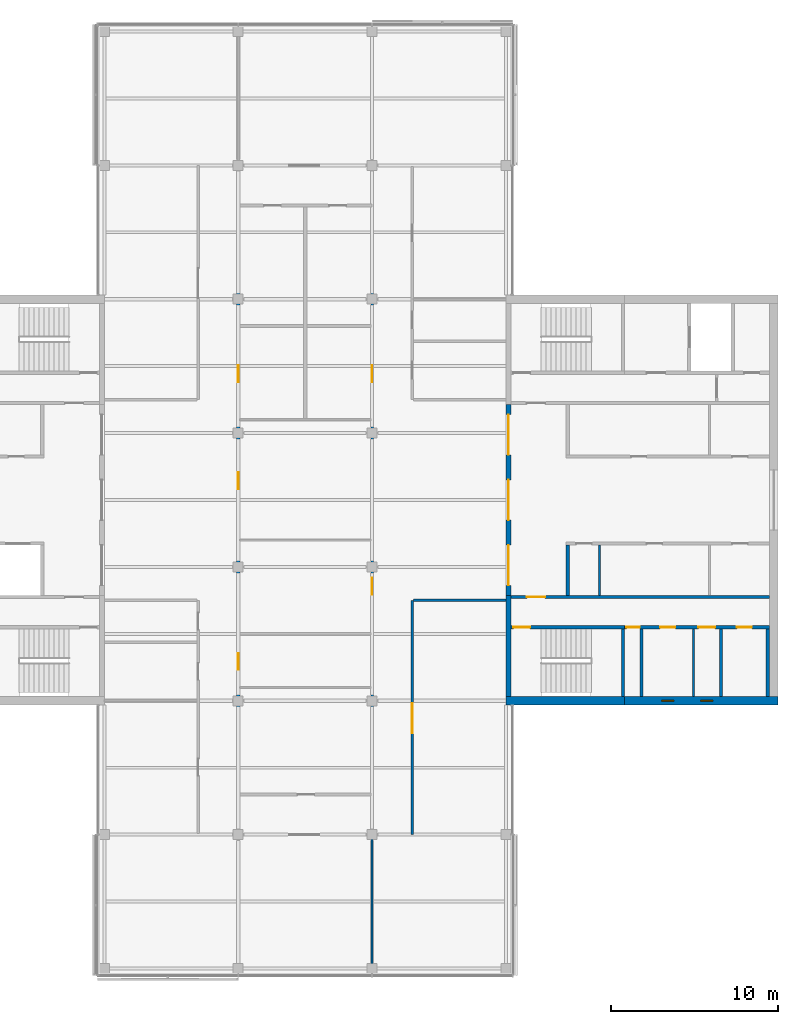
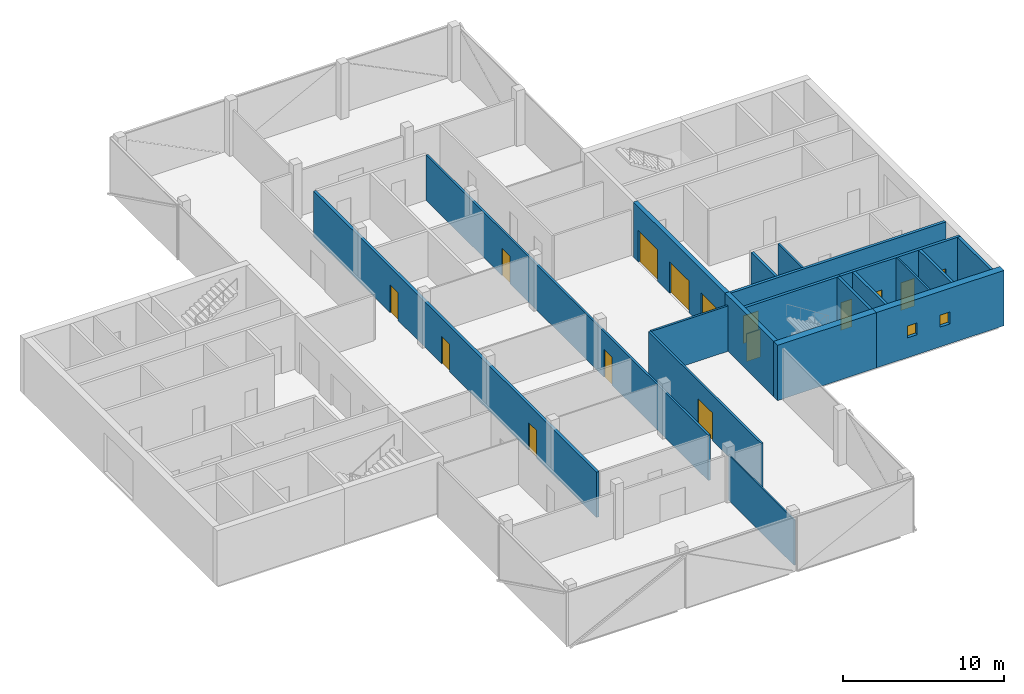
# One storey, part 10 of 16: 19 walls, 15 doors, 2 windows, 17 openings.
"""IFC4 building model written with IfcOpenShell, lengths in metres."""

from ifc_helpers import new_model, si_unit, direction, frame, frame_2d, origin, place, context, subcontext, project, spatial, rectangle, extrude, material, layer, layer_set, constituent, constituent_set, type_object, element, fill, save


model = new_model("IFC4")

# Units and contexts
model_context = context("Model", 3, precision=1e-05, world=origin(), true_north=direction((0.0, 1.0)))
body_context = subcontext(model_context, "Body", "Model", "MODEL_VIEW")
ifc_project = project(units=[si_unit("LENGTHUNIT", "METRE"), si_unit("AREAUNIT", "SQUARE_METRE"), si_unit("VOLUMEUNIT", "CUBIC_METRE"), si_unit("PLANEANGLEUNIT", "RADIAN"), si_unit("MASSUNIT", "GRAM", prefix="KILO")], contexts=[model_context])

# Site, building, storey
site_placement = place(None, origin())
site = spatial("IfcSite", under=ifc_project, at=site_placement, CompositionType="ELEMENT")
building_placement = place(site_placement, origin())
building = spatial("IfcBuilding", under=site, at=building_placement, Name="Crosswind Convention Tower", CompositionType="ELEMENT")
storey_placement = place(building_placement, frame((0.0, 0.0, 295.5)))
storey = spatial("IfcBuildingStorey", under=building, at=storey_placement, Name="L64", CompositionType="ELEMENT", Elevation=295.5)

# Wall
ifc_material_1 = material(Name="Concrete blockwork", Category="masonry")
ifc_layer_1 = layer(ifc_material_1, 0.199951171875)
ifc_layer_set_1 = layer_set([ifc_layer_1], Name="Blockwork partition wall 200")
wall_type_1 = type_object("IfcWallType", Name="Blockwork partition wall 200", PredefinedType="PARTITIONING", material=ifc_layer_set_1)
wall_1_placement = place(storey_placement, frame((145.10009765625, 88.25, 0.0), z_axis=(0.0, 0.0, 1.0), x_axis=(0.0, 1.0, 0.0)))
element("IfcWall", 1, at=wall_1_placement, inside=storey, type_object=wall_type_1, Name="Wall MRSE E L64", PredefinedType="PARTITIONING", context=body_context, shape_type="SweptSolid", body=[
    extrude(rectangle(XDim=4.050048828125, YDim=0.199951171875, at=frame_2d((2.02490234375, 0.0))), origin(), (0.0, 0.0, 1.0), 4.199951171875),
])

# Wall, openings, doors
ifc_layer_2 = layer(ifc_material_1, 0.199951171875)
ifc_layer_set_2 = layer_set([ifc_layer_2], Name="COMPARTMENT WALL 200 BLOCKWORK")
wall_type_2 = type_object("IfcWallType", Name="COMPARTMENT WALL 200 BLOCKWORK", PredefinedType="SOLIDWALL", material=ifc_layer_set_2)
wall_2_placement = place(storey_placement, frame((121.0, 82.39990234375, 0.0), z_axis=(0.0, 0.0, 1.0), x_axis=(0.0, 1.0, 0.0)))
wall_2 = element("IfcWall", 2, at=wall_2_placement, inside=storey, type_object=wall_type_2, Name="Compartment wall WT42", PredefinedType="SOLIDWALL", context=body_context, shape_type="SweptSolid", body=[
    extrude(rectangle(XDim=35.2001953125, YDim=0.199951171875, at=frame_2d((17.60009765625, 0.0))), origin(), (0.0, 0.0, 1.0), 3.44287109375),
])
opening_1_placement = place(wall_2_placement, frame((7.449951171875, 0.0, 0.0)))
opening_1 = element("IfcOpeningElement", 3, at=opening_1_placement, cuts=wall_2, Name="Opening L64-61", PredefinedType="OPENING", context=body_context, shape_type="SweptSolid", body=[
    extrude(rectangle(XDim=1.0, YDim=2.10009765625, at=frame_2d((0.5, 1.050048828125))), frame((0.0, 0.10986328125, 0.0), z_axis=(0.0, -1.0, 0.0), x_axis=(1.0, 0.0, 0.0)), (0.0, 0.0, 1.0), 0.219970703125),
])
opening_2_placement = place(wall_2_placement, frame((18.25, 0.0, 0.0)))
opening_2 = element("IfcOpeningElement", 4, at=opening_2_placement, cuts=wall_2, Name="Opening L64-63", PredefinedType="OPENING", context=body_context, shape_type="SweptSolid", body=[
    extrude(rectangle(XDim=1.0, YDim=2.10009765625, at=frame_2d((0.5, 1.050048828125))), frame((0.0, 0.10986328125, 0.0), z_axis=(0.0, -1.0, 0.0), x_axis=(1.0, 0.0, 0.0)), (0.0, 0.0, 1.0), 0.219970703125),
])
opening_3_placement = place(wall_2_placement, frame((24.64990234375, 0.0, 0.0)))
opening_3 = element("IfcOpeningElement", 5, at=opening_3_placement, cuts=wall_2, Name="Opening L64-64", PredefinedType="OPENING", context=body_context, shape_type="SweptSolid", body=[
    extrude(rectangle(XDim=1.0, YDim=2.10009765625, at=frame_2d((0.5, 1.050048828125))), frame((0.0, 0.10986328125, 0.0), z_axis=(0.0, -1.0, 0.0), x_axis=(1.0, 0.0, 0.0)), (0.0, 0.0, 1.0), 0.219970703125),
])
ifc_material_2 = material(Name="Timber fire door", Category="wood")
door_type_1 = type_object("IfcDoorType", Name="TENANCY ENTRANCE DOOR 1000X2100 FD30S", OperationType="NOTDEFINED", PredefinedType="DOOR", material=ifc_material_2)
door_1_placement = place(opening_1_placement, frame((1.0, 0.0, 0.0), z_axis=(0.0, 0.0, 1.0), x_axis=(-1.0, 0.0, 0.0)))
door_1 = element("IfcDoor", 6, at=door_1_placement, inside=storey, type_object=door_type_1, Name="Door L64-61", ObjectType="D41", OperationType="SINGLE_SWING_RIGHT", OverallHeight=2.10009765625, OverallWidth=1.0, PredefinedType="DOOR", context=body_context, shape_type="SweptSolid", body=[
    extrude(rectangle(XDim=1.0, YDim=2.10009765625, at=frame_2d((0.5, 1.050048828125))), frame((0.0, 0.02490234375, 0.0), z_axis=(0.0, -1.0, 0.0), x_axis=(1.0, 0.0, 0.0)), (0.0, 0.0, 1.0), 0.050048828125),
])
fill(opening_1, door_1)
door_2_placement = place(opening_2_placement, frame((1.0, 0.0, 0.0), z_axis=(0.0, 0.0, 1.0), x_axis=(-1.0, 0.0, 0.0)))
door_2 = element("IfcDoor", 7, at=door_2_placement, inside=storey, type_object=door_type_1, Name="Door L64-63", ObjectType="D41", OperationType="SINGLE_SWING_LEFT", OverallHeight=2.10009765625, OverallWidth=1.0, PredefinedType="DOOR", context=body_context, shape_type="SweptSolid", body=[
    extrude(rectangle(XDim=1.0, YDim=2.10009765625, at=frame_2d((0.5, 1.050048828125))), frame((0.0, 0.02490234375, 0.0), z_axis=(0.0, -1.0, 0.0), x_axis=(1.0, 0.0, 0.0)), (0.0, 0.0, 1.0), 0.050048828125),
])
fill(opening_2, door_2)
door_3_placement = place(opening_3_placement, frame((1.0, 0.0, 0.0), z_axis=(0.0, 0.0, 1.0), x_axis=(-1.0, 0.0, 0.0)))
door_3 = element("IfcDoor", 8, at=door_3_placement, inside=storey, type_object=door_type_1, Name="Door L64-64", ObjectType="D41", OperationType="SINGLE_SWING_LEFT", OverallHeight=2.10009765625, OverallWidth=1.0, PredefinedType="DOOR", context=body_context, shape_type="SweptSolid", body=[
    extrude(rectangle(XDim=1.0, YDim=2.10009765625, at=frame_2d((0.5, 1.050048828125))), frame((0.0, 0.02490234375, 0.0), z_axis=(0.0, -1.0, 0.0), x_axis=(1.0, 0.0, 0.0)), (0.0, 0.0, 1.0), 0.050048828125),
])
fill(opening_3, door_3)

ifc_material_3 = material(Name="Concrete C50/60", Category="concrete")
ifc_layer_3 = layer(ifc_material_3, 0.300048828125)
ifc_layer_set_3 = layer_set([ifc_layer_3], Name="Concrete C50/60")
wall_type_3 = type_object("IfcWallType", Name="Concrete inner core wall 300", PredefinedType="SHEAR", material=ifc_layer_set_3)
wall_3_placement = place(storey_placement, frame((137.14990234375, 94.300048828125, 0.0), z_axis=(0.0, 0.0, 1.0), x_axis=(0.0, 1.0, 0.0)))
wall_3 = element("IfcWall", 9, at=wall_3_placement, inside=storey, type_object=wall_type_3, Name="Wall SCR E L64", PredefinedType="SHEAR", context=body_context, shape_type="SweptSolid", body=[
    extrude(rectangle(XDim=11.39990234375, YDim=0.300048828125, at=frame_2d((5.699951171875, 0.0))), origin(), (0.0, 0.0, 1.0), 4.199951171875),
])
opening_4_placement = place(wall_3_placement, frame((0.60009765625, 0.0, 0.0)))
opening_4 = element("IfcOpeningElement", 10, at=opening_4_placement, cuts=wall_3, Name="Opening D100", PredefinedType="OPENING", context=body_context, shape_type="SweptSolid", body=[
    extrude(rectangle(XDim=2.39990234375, YDim=2.39990234375, at=frame_2d((1.199951171875, 1.199951171875))), frame((0.0, 0.159912109375, 0.0), z_axis=(0.0, -1.0, 0.0), x_axis=(1.0, 0.0, 0.0)), (0.0, 0.0, 1.0), 0.320068359375),
])
opening_5_placement = place(wall_3_placement, frame((4.5, 0.0, 0.0)))
opening_5 = element("IfcOpeningElement", 11, at=opening_5_placement, cuts=wall_3, Name="Opening D100", PredefinedType="OPENING", context=body_context, shape_type="SweptSolid", body=[
    extrude(rectangle(XDim=2.39990234375, YDim=2.39990234375, at=frame_2d((1.199951171875, 1.199951171875))), frame((0.0, 0.159912109375, 0.0), z_axis=(0.0, -1.0, 0.0), x_axis=(1.0, 0.0, 0.0)), (0.0, 0.0, 1.0), 0.320068359375),
])
opening_6_placement = place(wall_3_placement, frame((8.39990234375, 0.0, 0.0)))
opening_6 = element("IfcOpeningElement", 12, at=opening_6_placement, cuts=wall_3, Name="Opening D100", PredefinedType="OPENING", context=body_context, shape_type="SweptSolid", body=[
    extrude(rectangle(XDim=2.39990234375, YDim=2.39990234375, at=frame_2d((1.199951171875, 1.199951171875))), frame((0.0, 0.159912109375, 0.0), z_axis=(0.0, -1.0, 0.0), x_axis=(1.0, 0.0, 0.0)), (0.0, 0.0, 1.0), 0.320068359375),
])
ifc_material_4 = material(Name="Steel fire door with glazed vision panels", Category="steel")
door_type_2 = type_object("IfcDoorType", Name="Fire-rated double door 2400x2400", OperationType="DOUBLE_DOOR_SINGLE_SWING", PredefinedType="DOOR", material=ifc_material_4)
door_4_placement = place(opening_4_placement, origin())
door_4 = element("IfcDoor", 13, at=door_4_placement, inside=storey, type_object=door_type_2, Name="Lobby door 1 L64", ObjectType="D100", OperationType="DOUBLE_DOOR_SINGLE_SWING", OverallHeight=2.39990234375, OverallWidth=2.39990234375, PredefinedType="DOOR", context=body_context, shape_type="SweptSolid", body=[
    extrude(rectangle(XDim=2.39990234375, YDim=2.39990234375, at=frame_2d((1.199951171875, 1.199951171875))), frame((0.0, 0.02490234375, 0.0), z_axis=(0.0, -1.0, 0.0), x_axis=(1.0, 0.0, 0.0)), (0.0, 0.0, 1.0), 0.050048828125),
])
fill(opening_4, door_4)
door_5_placement = place(opening_5_placement, origin())
door_5 = element("IfcDoor", 14, at=door_5_placement, inside=storey, type_object=door_type_2, Name="Lobby door 2 L64", ObjectType="D100", OperationType="DOUBLE_DOOR_SINGLE_SWING", OverallHeight=2.39990234375, OverallWidth=2.39990234375, PredefinedType="DOOR", context=body_context, shape_type="SweptSolid", body=[
    extrude(rectangle(XDim=2.39990234375, YDim=2.39990234375, at=frame_2d((1.199951171875, 1.199951171875))), frame((0.0, 0.02490234375, 0.0), z_axis=(0.0, -1.0, 0.0), x_axis=(1.0, 0.0, 0.0)), (0.0, 0.0, 1.0), 0.050048828125),
])
fill(opening_5, door_5)
door_6_placement = place(opening_6_placement, origin())
door_6 = element("IfcDoor", 15, at=door_6_placement, inside=storey, type_object=door_type_2, Name="Lobby door 3 L64", ObjectType="D100", OperationType="DOUBLE_DOOR_SINGLE_SWING", OverallHeight=2.39990234375, OverallWidth=2.39990234375, PredefinedType="DOOR", context=body_context, shape_type="SweptSolid", body=[
    extrude(rectangle(XDim=2.39990234375, YDim=2.39990234375, at=frame_2d((1.199951171875, 1.199951171875))), frame((0.0, 0.02490234375, 0.0), z_axis=(0.0, -1.0, 0.0), x_axis=(1.0, 0.0, 0.0)), (0.0, 0.0, 1.0), 0.050048828125),
])
fill(opening_6, door_6)

# Walls
wall_4_placement = place(storey_placement, frame((137.14990234375, 88.25, 0.0), z_axis=(0.0, 0.0, 1.0), x_axis=(0.0, 1.0, 0.0)))
element("IfcWall", 16, at=wall_4_placement, inside=storey, type_object=wall_type_3, Name="Wall EM E L64", PredefinedType="SHEAR", context=body_context, shape_type="SweptSolid", body=[
    extrude(rectangle(XDim=6.050048828125, YDim=0.300048828125, at=frame_2d((3.02490234375, 0.0))), origin(), (0.0, 0.0, 1.0), 4.199951171875),
])
ifc_layer_4 = layer(ifc_material_3, 0.199951171875)
ifc_layer_set_4 = layer_set([ifc_layer_4], Name="Concrete C50/60")
wall_type_4 = type_object("IfcWallType", Name="Concrete shaft and stair wall 200", PredefinedType="SHEAR", material=ifc_layer_set_4)
wall_5_placement = place(storey_placement, frame((140.699951171875, 94.300048828125, 0.0), z_axis=(0.0, 0.0, 1.0), x_axis=(0.0, 1.0, 0.0)))
element("IfcWall", 17, at=wall_5_placement, inside=storey, type_object=wall_type_4, Name="Wall RMEND E L64", PredefinedType="SHEAR", context=body_context, shape_type="SweptSolid", body=[
    extrude(rectangle(XDim=3.0, YDim=0.199951171875, at=frame_2d((1.5, 0.0))), origin(), (0.0, 0.0, 1.0), 4.199951171875),
])

# Wall, opening, door
wall_6_placement = place(storey_placement, frame((137.300048828125, 94.199951171875, 0.0), z_axis=(0.0, 0.0, 1.0), x_axis=(1.0, 0.0, 0.0)))
wall_6 = element("IfcWall", 18, at=wall_6_placement, inside=storey, type_object=wall_type_4, Name="Wall HM E L64", PredefinedType="SHEAR", context=body_context, shape_type="SweptSolid", body=[
    extrude(rectangle(XDim=15.449951171875, YDim=0.199951171875, at=frame_2d((7.72509765625, 0.0))), origin(), (0.0, 0.0, 1.0), 4.199951171875),
])
opening_7_placement = place(wall_6_placement, frame((0.949951171875, 0.0, 0.0)))
opening_7 = element("IfcOpeningElement", 19, at=opening_7_placement, cuts=wall_6, Name="Opening D104", PredefinedType="OPENING", context=body_context, shape_type="SweptSolid", body=[
    extrude(rectangle(XDim=1.10009765625, YDim=2.10009765625, at=frame_2d((0.550048828125, 1.050048828125))), frame((0.0, 0.10986328125, 0.0), z_axis=(0.0, -1.0, 0.0), x_axis=(1.0, 0.0, 0.0)), (0.0, 0.0, 1.0), 0.219970703125),
])
ifc_material_5 = material(Name="Steel fire door", Category="steel")
door_type_3 = type_object("IfcDoorType", Name="Fire-rated single door 1100x2100", OperationType="NOTDEFINED", PredefinedType="DOOR", material=ifc_material_5)
door_7_placement = place(opening_7_placement, origin())
door_7 = element("IfcDoor", 20, at=door_7_placement, inside=storey, type_object=door_type_3, Name="Corridor door L64", ObjectType="D104", OperationType="SINGLE_SWING_LEFT", OverallHeight=2.10009765625, OverallWidth=1.10009765625, PredefinedType="DOOR", context=body_context, shape_type="SweptSolid", body=[
    extrude(rectangle(XDim=1.10009765625, YDim=2.10009765625, at=frame_2d((0.550048828125, 1.050048828125))), frame((0.0, 0.02490234375, 0.0), z_axis=(0.0, -1.0, 0.0), x_axis=(1.0, 0.0, 0.0)), (0.0, 0.0, 1.0), 0.050048828125),
])
fill(opening_7, door_7)

# Walls
for number, where, z_axis, x_axis, name in (
    (21, (144.0, 88.25, 0.0), (0.0, 0.0, 1.0), (0.0, 1.0, 0.0), "Wall MSE E L64"),
    (22, (149.85009765625, 88.25, 0.0), (0.0, 0.0, 1.0), (0.0, 1.0, 0.0), "Wall MFSW E L64"),
    (23, (152.64990234375, 88.25, 0.0), (0.0, 0.0, 1.0), (0.0, 1.0, 0.0), "Wall MFSE E L64"),
):
    element("IfcWall", number, at=place(storey_placement, frame(where, z_axis=z_axis, x_axis=x_axis)), inside=storey, type_object=wall_type_4, Name=name, PredefinedType="SHEAR", context=body_context, shape_type="SweptSolid", body=[
        extrude(rectangle(XDim=4.050048828125, YDim=0.199951171875, at=frame_2d((2.02490234375, 0.0))), origin(), (0.0, 0.0, 1.0), 4.199951171875),
    ])

# Wall, opening, door
wall_7_placement = place(storey_placement, frame((137.300048828125, 92.39990234375, 0.0), z_axis=(0.0, 0.0, 1.0), x_axis=(1.0, 0.0, 0.0)))
wall_7 = element("IfcWall", 24, at=wall_7_placement, inside=storey, type_object=wall_type_4, Name="Wall MCW E L64", PredefinedType="SHEAR", context=body_context, shape_type="SweptSolid", body=[
    extrude(rectangle(XDim=6.800048828125, YDim=0.199951171875, at=frame_2d((3.39990234375, 0.0))), origin(), (0.0, 0.0, 1.0), 4.199951171875),
])
opening_8_placement = place(wall_7_placement, frame((0.14990234375, 0.0, 0.0)))
opening_8 = element("IfcOpeningElement", 25, at=opening_8_placement, cuts=wall_7, Name="Opening D103", PredefinedType="OPENING", context=body_context, shape_type="SweptSolid", body=[
    extrude(rectangle(XDim=1.0, YDim=2.10009765625, at=frame_2d((0.5, 1.050048828125))), frame((0.0, 0.10986328125, 0.0), z_axis=(0.0, -1.0, 0.0), x_axis=(1.0, 0.0, 0.0)), (0.0, 0.0, 1.0), 0.219970703125),
])
door_type_4 = type_object("IfcDoorType", Name="Fire-rated single door 1000x2100", OperationType="NOTDEFINED", PredefinedType="DOOR", material=ifc_material_5)
door_8_placement = place(opening_8_placement, frame((1.0, 0.0, 0.0), z_axis=(0.0, 0.0, 1.0), x_axis=(-1.0, 0.0, 0.0)))
door_8 = element("IfcDoor", 26, at=door_8_placement, inside=storey, type_object=door_type_4, Name="Stair ST2 door L64", ObjectType="D103", OperationType="SINGLE_SWING_RIGHT", OverallHeight=2.10009765625, OverallWidth=1.0, PredefinedType="DOOR", context=body_context, shape_type="SweptSolid", body=[
    extrude(rectangle(XDim=1.0, YDim=2.10009765625, at=frame_2d((0.5, 1.050048828125))), frame((0.0, 0.02490234375, 0.0), z_axis=(0.0, -1.0, 0.0), x_axis=(1.0, 0.0, 0.0)), (0.0, 0.0, 1.0), 0.050048828125),
])
fill(opening_8, door_8)

# Wall, openings, doors
wall_8_placement = place(storey_placement, frame((144.10009765625, 92.39990234375, 0.0), z_axis=(0.0, 0.0, 1.0), x_axis=(1.0, 0.0, 0.0)))
wall_8 = element("IfcWall", 27, at=wall_8_placement, inside=storey, type_object=wall_type_4, Name="Wall MCX E L64", PredefinedType="SHEAR", context=body_context, shape_type="SweptSolid", body=[
    extrude(rectangle(XDim=8.64990234375, YDim=0.199951171875, at=frame_2d((4.324951171875, 0.0))), origin(), (0.0, 0.0, 1.0), 4.199951171875),
])
opening_9_placement = place(wall_8_placement, frame((0.10009765625, 0.0, 0.0)))
opening_9 = element("IfcOpeningElement", 28, at=opening_9_placement, cuts=wall_8, Name="Opening D105", PredefinedType="OPENING", context=body_context, shape_type="SweptSolid", body=[
    extrude(rectangle(XDim=0.800048828125, YDim=2.10009765625, at=frame_2d((0.39990234375, 1.050048828125))), frame((0.0, 0.10986328125, 0.0), z_axis=(0.0, -1.0, 0.0), x_axis=(1.0, 0.0, 0.0)), (0.0, 0.0, 1.0), 0.219970703125),
])
opening_10_placement = place(wall_8_placement, frame((2.120361328125, 0.0, 0.0)))
opening_10 = element("IfcOpeningElement", 29, at=opening_10_placement, cuts=wall_8, Name="Opening D106", PredefinedType="OPENING", context=body_context, shape_type="SweptSolid", body=[
    extrude(rectangle(XDim=0.89990234375, YDim=2.10009765625, at=frame_2d((0.449951171875, 1.050048828125))), frame((0.0, 0.10986328125, 0.0), z_axis=(0.0, -1.0, 0.0), x_axis=(1.0, 0.0, 0.0)), (0.0, 0.0, 1.0), 0.219970703125),
])
opening_11_placement = place(wall_8_placement, frame((4.40771484375, 0.0, 0.0)))
opening_11 = element("IfcOpeningElement", 30, at=opening_11_placement, cuts=wall_8, Name="Opening D103", PredefinedType="OPENING", context=body_context, shape_type="SweptSolid", body=[
    extrude(rectangle(XDim=1.0, YDim=2.10009765625, at=frame_2d((0.5, 1.050048828125))), frame((0.0, 0.10986328125, 0.0), z_axis=(0.0, -1.0, 0.0), x_axis=(1.0, 0.0, 0.0)), (0.0, 0.0, 1.0), 0.219970703125),
])
opening_12_placement = place(wall_8_placement, frame((6.699951171875, 0.0, 0.0)))
opening_12 = element("IfcOpeningElement", 31, at=opening_12_placement, cuts=wall_8, Name="Opening D106", PredefinedType="OPENING", context=body_context, shape_type="SweptSolid", body=[
    extrude(rectangle(XDim=0.89990234375, YDim=2.10009765625, at=frame_2d((0.449951171875, 1.050048828125))), frame((0.0, 0.10986328125, 0.0), z_axis=(0.0, -1.0, 0.0), x_axis=(1.0, 0.0, 0.0)), (0.0, 0.0, 1.0), 0.219970703125),
])
door_9_placement = place(opening_11_placement, frame((1.0, 0.0, 0.0), z_axis=(0.0, 0.0, 1.0), x_axis=(-1.0, 0.0, 0.0)))
door_9 = element("IfcDoor", 32, at=door_9_placement, inside=storey, type_object=door_type_4, Name="Door to accessible wc L64", ObjectType="D103", OperationType="SINGLE_SWING_LEFT", OverallHeight=2.10009765625, OverallWidth=1.0, PredefinedType="DOOR", context=body_context, shape_type="SweptSolid", body=[
    extrude(rectangle(XDim=1.0, YDim=2.10009765625, at=frame_2d((0.5, 1.050048828125))), frame((0.0, 0.02490234375, 0.0), z_axis=(0.0, -1.0, 0.0), x_axis=(1.0, 0.0, 0.0)), (0.0, 0.0, 1.0), 0.050048828125),
])
fill(opening_11, door_9)
door_type_5 = type_object("IfcDoorType", Name="Riser access door 800x2100", OperationType="NOTDEFINED", PredefinedType="DOOR", material=ifc_material_5)
door_10_placement = place(opening_9_placement, frame((0.800048828125, 0.0, 0.0), z_axis=(0.0, 0.0, 1.0), x_axis=(-1.0, 0.0, 0.0)))
door_10 = element("IfcDoor", 33, at=door_10_placement, inside=storey, type_object=door_type_5, Name="Riser door L64", ObjectType="D105", OperationType="SINGLE_SWING_LEFT", OverallHeight=2.10009765625, OverallWidth=0.800048828125, PredefinedType="DOOR", context=body_context, shape_type="SweptSolid", body=[
    extrude(rectangle(XDim=0.800048828125, YDim=2.10009765625, at=frame_2d((0.39990234375, 1.050048828125))), frame((0.0, 0.02490234375, 0.0), z_axis=(0.0, -1.0, 0.0), x_axis=(1.0, 0.0, 0.0)), (0.0, 0.0, 1.0), 0.050048828125),
])
fill(opening_9, door_10)
ifc_material_6 = material(Name="Timber door", Category="wood")
door_type_6 = type_object("IfcDoorType", Name="Single leaf door 900x2100", OperationType="NOTDEFINED", PredefinedType="DOOR", material=ifc_material_6)
door_11_placement = place(opening_10_placement, frame((0.89990234375, 0.0, 0.0), z_axis=(0.0, 0.0, 1.0), x_axis=(-1.0, 0.0, 0.0)))
door_11 = element("IfcDoor", 34, at=door_11_placement, inside=storey, type_object=door_type_6, Name="Door to wc L64", ObjectType="D106", OperationType="SINGLE_SWING_LEFT", OverallHeight=2.10009765625, OverallWidth=0.89990234375, PredefinedType="DOOR", context=body_context, shape_type="SweptSolid", body=[
    extrude(rectangle(XDim=0.89990234375, YDim=2.10009765625, at=frame_2d((0.449951171875, 1.050048828125))), frame((0.0, 0.02490234375, 0.0), z_axis=(0.0, -1.0, 0.0), x_axis=(1.0, 0.0, 0.0)), (0.0, 0.0, 1.0), 0.050048828125),
])
fill(opening_10, door_11)
door_12_placement = place(opening_12_placement, frame((0.89990234375, 0.0, 0.0), z_axis=(0.0, 0.0, 1.0), x_axis=(-1.0, 0.0, 0.0)))
door_12 = element("IfcDoor", 35, at=door_12_placement, inside=storey, type_object=door_type_6, Name="Door to accessible wc L64", ObjectType="D106", OperationType="SINGLE_SWING_LEFT", OverallHeight=2.10009765625, OverallWidth=0.89990234375, PredefinedType="DOOR", context=body_context, shape_type="SweptSolid", body=[
    extrude(rectangle(XDim=0.89990234375, YDim=2.10009765625, at=frame_2d((0.449951171875, 1.050048828125))), frame((0.0, 0.02490234375, 0.0), z_axis=(0.0, -1.0, 0.0), x_axis=(1.0, 0.0, 0.0)), (0.0, 0.0, 1.0), 0.050048828125),
])
fill(opening_12, door_12)

# Walls
ifc_material_7 = material(Name="Gypsum plasterboard partition", Category="gypsum")
ifc_layer_5 = layer(ifc_material_7, 0.125)
ifc_layer_set_5 = layer_set([ifc_layer_5], Name="Drywall partition wall 125")
wall_type_5 = type_object("IfcWallType", Name="Drywall partition wall 125", PredefinedType="PARTITIONING", material=ifc_layer_set_5)
wall_9_placement = place(storey_placement, frame((142.592529296875, 94.300048828125, 0.0), z_axis=(0.0, 0.0, 1.0), x_axis=(0.0, 1.0, 0.0)))
element("IfcWall", 36, at=wall_9_placement, inside=storey, type_object=wall_type_5, Name="Wall RMP1 E L64", PredefinedType="PARTITIONING", context=body_context, shape_type="SweptSolid", body=[
    extrude(rectangle(XDim=3.0, YDim=0.125, at=frame_2d((1.5, 0.0))), origin(), (0.0, 0.0, 1.0), 4.199951171875),
])
wall_10_placement = place(storey_placement, frame((148.202880859375, 88.25, 0.0), z_axis=(0.0, 0.0, 1.0), x_axis=(0.0, 1.0, 0.0)))
element("IfcWall", 37, at=wall_10_placement, inside=storey, type_object=wall_type_5, Name="Wall MWP1 E L64", PredefinedType="PARTITIONING", context=body_context, shape_type="SweptSolid", body=[
    extrude(rectangle(XDim=4.050048828125, YDim=0.125, at=frame_2d((2.02490234375, 0.0))), origin(), (0.0, 0.0, 1.0), 4.199951171875),
])
ifc_material_8 = material(Name="Plasterboard partition", Category="gypsum")
ifc_layer_6 = layer(ifc_material_8, 0.10009765625)
ifc_layer_set_6 = layer_set([ifc_layer_6], Name="PARTITION 100 METAL STUD")
wall_type_6 = type_object("IfcWallType", Name="PARTITION 100 METAL STUD", PredefinedType="PARTITIONING", material=ifc_layer_set_6)
wall_11_placement = place(storey_placement, frame((129.0, 71.780029296875, 0.0), z_axis=(0.0, 0.0, 1.0), x_axis=(0.0, 1.0, 0.0)))
element("IfcWall", 38, at=wall_11_placement, inside=storey, type_object=wall_type_6, Name="Partition wall WT40", PredefinedType="PARTITIONING", context=body_context, shape_type="SweptSolid", body=[
    extrude(rectangle(XDim=8.14501953125, YDim=0.10009765625, at=frame_2d((4.072509765625, 0.0))), origin(), (0.0, 0.0, 1.0), 3.44287109375),
])

# Wall, openings, doors
ifc_material_9 = material(Name="Fire-board partition with mineral wool", Category="gypsum")
ifc_layer_7 = layer(ifc_material_9, 0.14990234375)
ifc_layer_set_7 = layer_set([ifc_layer_7], Name="TENANCY WALL 150 TWO-HOUR BOARD")
wall_type_7 = type_object("IfcWallType", Name="TENANCY WALL 150 TWO-HOUR BOARD", PredefinedType="PARTITIONING", material=ifc_layer_set_7)
wall_12_placement = place(storey_placement, frame((129.0, 82.39990234375, 0.0), z_axis=(0.0, 0.0, 1.0), x_axis=(0.0, 1.0, 0.0)))
wall_12 = element("IfcWall", 39, at=wall_12_placement, inside=storey, type_object=wall_type_7, Name="Tenancy wall WT41", PredefinedType="PARTITIONING", context=body_context, shape_type="SweptSolid", body=[
    extrude(rectangle(XDim=35.10009765625, YDim=0.14990234375, at=frame_2d((17.550048828125, 0.0))), origin(), (0.0, 0.0, 1.0), 3.44287109375),
])
opening_13_placement = place(wall_12_placement, frame((11.949951171875, 0.0, 0.0)))
opening_13 = element("IfcOpeningElement", 40, at=opening_13_placement, cuts=wall_12, Name="Opening L64-62", PredefinedType="OPENING", context=body_context, shape_type="SweptSolid", body=[
    extrude(rectangle(XDim=1.0, YDim=2.10009765625, at=frame_2d((0.5, 1.050048828125))), frame((0.0, 0.0849609375, 0.0), z_axis=(0.0, -1.0, 0.0), x_axis=(1.0, 0.0, 0.0)), (0.0, 0.0, 1.0), 0.169921875),
])
opening_14_placement = place(wall_12_placement, frame((24.64990234375, 0.0, 0.0)))
opening_14 = element("IfcOpeningElement", 41, at=opening_14_placement, cuts=wall_12, Name="Opening L64-65", PredefinedType="OPENING", context=body_context, shape_type="SweptSolid", body=[
    extrude(rectangle(XDim=1.0, YDim=2.10009765625, at=frame_2d((0.5, 1.050048828125))), frame((0.0, 0.0849609375, 0.0), z_axis=(0.0, -1.0, 0.0), x_axis=(1.0, 0.0, 0.0)), (0.0, 0.0, 1.0), 0.169921875),
])
door_13_placement = place(opening_13_placement, origin())
door_13 = element("IfcDoor", 42, at=door_13_placement, inside=storey, type_object=door_type_1, Name="Door L64-62", ObjectType="D41", OperationType="SINGLE_SWING_RIGHT", OverallHeight=2.10009765625, OverallWidth=1.0, PredefinedType="DOOR", context=body_context, shape_type="SweptSolid", body=[
    extrude(rectangle(XDim=1.0, YDim=2.10009765625, at=frame_2d((0.5, 1.050048828125))), frame((0.0, 0.02490234375, 0.0), z_axis=(0.0, -1.0, 0.0), x_axis=(1.0, 0.0, 0.0)), (0.0, 0.0, 1.0), 0.050048828125),
])
fill(opening_13, door_13)
door_14_placement = place(opening_14_placement, origin())
door_14 = element("IfcDoor", 43, at=door_14_placement, inside=storey, type_object=door_type_1, Name="Door L64-65", ObjectType="D41", OperationType="SINGLE_SWING_RIGHT", OverallHeight=2.10009765625, OverallWidth=1.0, PredefinedType="DOOR", context=body_context, shape_type="SweptSolid", body=[
    extrude(rectangle(XDim=1.0, YDim=2.10009765625, at=frame_2d((0.5, 1.050048828125))), frame((0.0, 0.02490234375, 0.0), z_axis=(0.0, -1.0, 0.0), x_axis=(1.0, 0.0, 0.0)), (0.0, 0.0, 1.0), 0.050048828125),
])
fill(opening_14, door_14)

# Wall, opening, door
wall_13_placement = place(storey_placement, frame((131.39990234375, 80.0, 0.0), z_axis=(0.0, 0.0, 1.0), x_axis=(0.0, 1.0, 0.0)))
wall_13 = element("IfcWall", 44, at=wall_13_placement, inside=storey, type_object=wall_type_7, Name="Tenancy wall WT41", PredefinedType="PARTITIONING", context=body_context, shape_type="SweptSolid", body=[
    extrude(rectangle(XDim=14.0, YDim=0.14990234375, at=frame_2d((7.0, 0.0))), origin(), (0.0, 0.0, 1.0), 3.44287109375),
])
opening_15_placement = place(wall_13_placement, frame((6.050048828125, 0.0, 0.0)))
opening_15 = element("IfcOpeningElement", 45, at=opening_15_placement, cuts=wall_13, Name="Opening L64-53", PredefinedType="OPENING", context=body_context, shape_type="SweptSolid", body=[
    extrude(rectangle(XDim=1.800048828125, YDim=2.10009765625, at=frame_2d((0.89990234375, 1.050048828125))), frame((0.0, 0.0849609375, 0.0), z_axis=(0.0, -1.0, 0.0), x_axis=(1.0, 0.0, 0.0)), (0.0, 0.0, 1.0), 0.169921875),
])
door_type_7 = type_object("IfcDoorType", Name="TENANCY ENTRANCE DOUBLE DOOR 1800X2100 FD30S", OperationType="DOUBLE_DOOR_SINGLE_SWING", PredefinedType="DOOR", material=ifc_material_2)
door_15_placement = place(opening_15_placement, frame((1.800048828125, 0.0, 0.0), z_axis=(0.0, 0.0, 1.0), x_axis=(-1.0, 0.0, 0.0)))
door_15 = element("IfcDoor", 46, at=door_15_placement, inside=storey, type_object=door_type_7, Name="Door L64-53", ObjectType="D42", OperationType="DOUBLE_DOOR_SINGLE_SWING", OverallHeight=2.10009765625, OverallWidth=1.800048828125, PredefinedType="DOOR", context=body_context, shape_type="SweptSolid", body=[
    extrude(rectangle(XDim=1.800048828125, YDim=2.10009765625, at=frame_2d((0.89990234375, 1.050048828125))), frame((0.0, 0.02490234375, 0.0), z_axis=(0.0, -1.0, 0.0), x_axis=(1.0, 0.0, 0.0)), (0.0, 0.0, 1.0), 0.050048828125),
])
fill(opening_15, door_15)

# Walls
wall_14_placement = place(storey_placement, frame((131.47509765625, 94.0, 0.0), z_axis=(0.0, 0.0, 1.0), x_axis=(1.0, 0.0, 0.0)))
element("IfcWall", 47, at=wall_14_placement, inside=storey, type_object=wall_type_7, Name="Tenancy wall WT41", PredefinedType="PARTITIONING", context=body_context, shape_type="SweptSolid", body=[
    extrude(rectangle(XDim=5.52490234375, YDim=0.14990234375, at=frame_2d((2.762451171875, 0.0))), origin(), (0.0, 0.0, 1.0), 3.44287109375),
])
ifc_material_10 = material(Name="Concrete C60/75", Category="concrete")
ifc_constituent_1 = constituent(ifc_material_10, Name="Structure")
ifc_material_11 = material(Name="Terracotta rainscreen", Category="ceramic")
ifc_constituent_2 = constituent(ifc_material_11, Name="Facing")
ifc_constituent_set = constituent_set(constituents=[ifc_constituent_1, ifc_constituent_2], Name="Concrete C60/75, Terracotta rainscreen")
wall_type_8 = type_object("IfcWallType", Name="Terracotta rainscreen on concrete core wall 500", PredefinedType="SHEAR", material=ifc_constituent_set)
wall_15_placement = place(storey_placement, frame((137.0, 88.0, 0.0), z_axis=(0.0, 0.0, 1.0), x_axis=(1.0, 0.0, 0.0)))
element("IfcWall", 48, at=wall_15_placement, inside=storey, type_object=wall_type_8, Name="Wall S1 E L64", PredefinedType="SHEAR", context=body_context, shape_type="SweptSolid", body=[
    extrude(rectangle(XDim=7.10009765625, YDim=0.5, at=frame_2d((3.550048828125, 0.0))), origin(), (0.0, 0.0, 1.0), 4.199951171875),
])

# Wall, openings, windows
wall_16_placement = place(storey_placement, frame((144.10009765625, 88.0, 0.0), z_axis=(0.0, 0.0, 1.0), x_axis=(1.0, 0.0, 0.0)))
wall_16 = element("IfcWall", 49, at=wall_16_placement, inside=storey, type_object=wall_type_8, Name="Wall S2 E L64", PredefinedType="SHEAR", context=body_context, shape_type="SweptSolid", body=[
    extrude(rectangle(XDim=9.14990234375, YDim=0.5, at=frame_2d((4.574951171875, 0.0))), origin(), (0.0, 0.0, 1.0), 4.199951171875),
])
opening_16_placement = place(wall_16_placement, frame((2.22021484375, 0.0, 1.5)))
opening_16 = element("IfcOpeningElement", 50, at=opening_16_placement, cuts=wall_16, Name="Opening W2", PredefinedType="OPENING", context=body_context, shape_type="SweptSolid", body=[
    extrude(rectangle(XDim=0.699951171875, YDim=0.89990234375, at=frame_2d((0.35009765625, 0.449951171875))), frame((0.0, 0.260009765625, 0.0), z_axis=(0.0, -1.0, 0.0), x_axis=(1.0, 0.0, 0.0)), (0.0, 0.0, 1.0), 0.52001953125),
])
opening_17_placement = place(wall_16_placement, frame((4.557861328125, 0.0, 1.5)))
opening_17 = element("IfcOpeningElement", 51, at=opening_17_placement, cuts=wall_16, Name="Opening W2", PredefinedType="OPENING", context=body_context, shape_type="SweptSolid", body=[
    extrude(rectangle(XDim=0.699951171875, YDim=0.89990234375, at=frame_2d((0.35009765625, 0.449951171875))), frame((0.0, 0.260009765625, 0.0), z_axis=(0.0, -1.0, 0.0), x_axis=(1.0, 0.0, 0.0)), (0.0, 0.0, 1.0), 0.52001953125),
])
ifc_material_12 = material(Name="Obscure glass in aluminium frame", Category="aluminium")
window_type = type_object("IfcWindowType", Name="WC window 700x900", PartitioningType="SINGLE_PANEL", PredefinedType="WINDOW", material=ifc_material_12)
window_1_placement = place(opening_16_placement, origin())
window_1 = element("IfcWindow", 52, at=window_1_placement, inside=storey, type_object=window_type, Name="WC window L64", ObjectType="W2", OverallHeight=0.89990234375, OverallWidth=0.699951171875, PartitioningType="SINGLE_PANEL", PredefinedType="WINDOW", context=body_context, shape_type="SweptSolid", body=[
    extrude(rectangle(XDim=0.699951171875, YDim=0.89990234375, at=frame_2d((0.35009765625, 0.449951171875))), frame((0.0, 0.030029296875, 0.0), z_axis=(0.0, -1.0, 0.0), x_axis=(1.0, 0.0, 0.0)), (0.0, 0.0, 1.0), 0.06005859375),
])
fill(opening_16, window_1)
window_2_placement = place(opening_17_placement, origin())
window_2 = element("IfcWindow", 53, at=window_2_placement, inside=storey, type_object=window_type, Name="WC window L64", ObjectType="W2", OverallHeight=0.89990234375, OverallWidth=0.699951171875, PartitioningType="SINGLE_PANEL", PredefinedType="WINDOW", context=body_context, shape_type="SweptSolid", body=[
    extrude(rectangle(XDim=0.699951171875, YDim=0.89990234375, at=frame_2d((0.35009765625, 0.449951171875))), frame((0.0, 0.030029296875, 0.0), z_axis=(0.0, -1.0, 0.0), x_axis=(1.0, 0.0, 0.0)), (0.0, 0.0, 1.0), 0.06005859375),
])
fill(opening_17, window_2)

save(model, "model.ifc")
